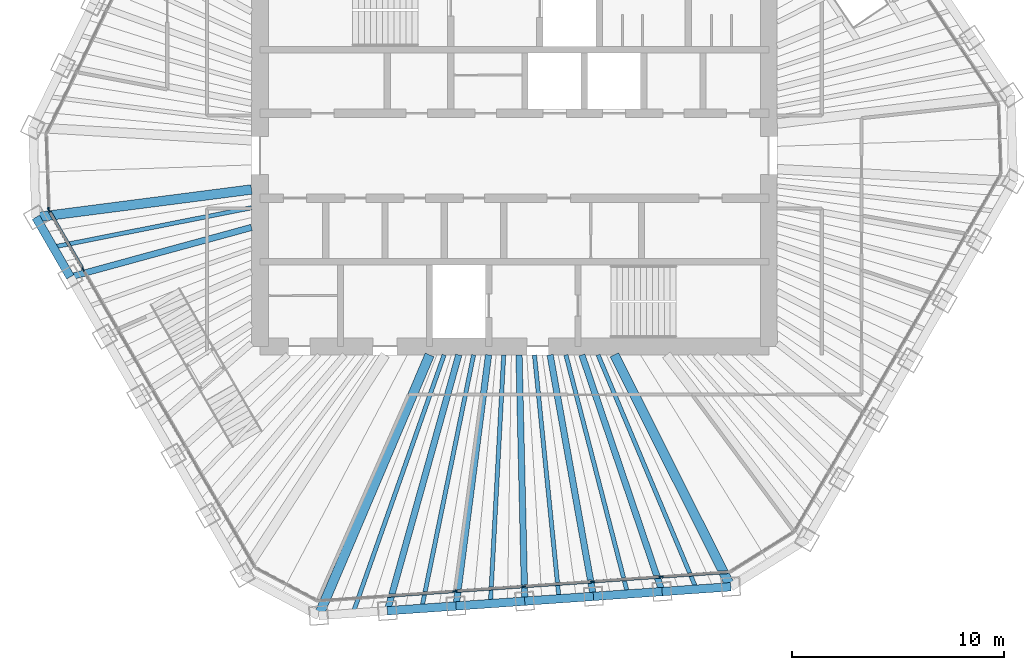
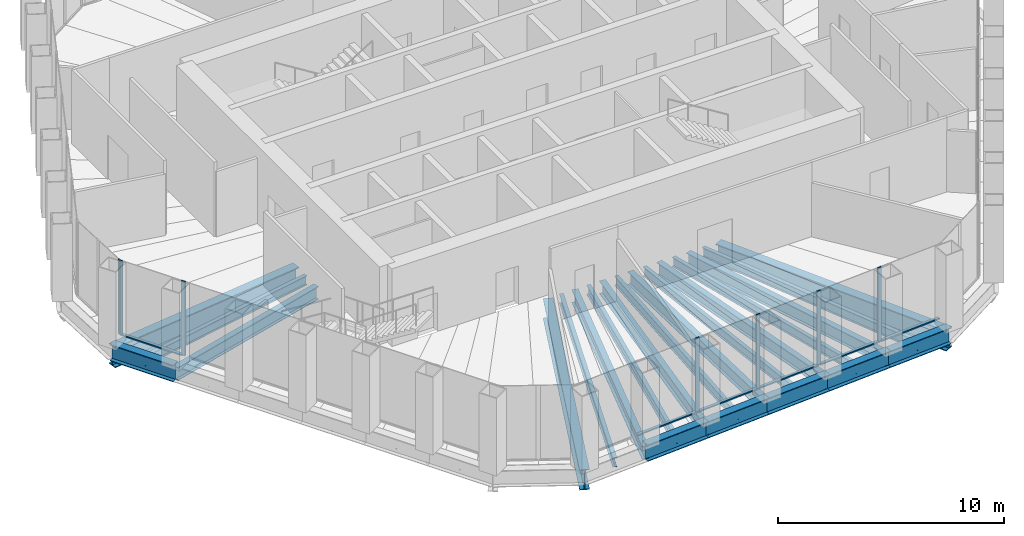
# One storey, part 5 of 17: 22 beams, 13 members, 3 elements without a shape of their own.
"""IFC4 building model written with IfcOpenShell, lengths in metres."""

from ifc_helpers import new_model, si_unit, direction, frame, origin, origin_2d, place, context, subcontext, project, spatial, rectangle, i_section, extrude, material, material_profile, profile_set, type_object, element, aggregate, save


model = new_model("IFC4")

# Units and contexts
model_context = context("Model", 3, precision=1e-05, world=origin(), true_north=direction((0.0, 1.0)))
body_context = subcontext(model_context, "Body", "Model", "MODEL_VIEW")
ifc_project = project(units=[si_unit("LENGTHUNIT", "METRE"), si_unit("AREAUNIT", "SQUARE_METRE"), si_unit("VOLUMEUNIT", "CUBIC_METRE"), si_unit("PLANEANGLEUNIT", "RADIAN"), si_unit("MASSUNIT", "GRAM", prefix="KILO")], contexts=[model_context])

# Site, building, storey
site_placement = place(None, origin())
site = spatial("IfcSite", under=ifc_project, at=site_placement, CompositionType="ELEMENT")
building_placement = place(site_placement, origin())
building = spatial("IfcBuilding", under=site, at=building_placement, Name="Qingtian Harvest Tower", CompositionType="ELEMENT")
storey_placement = place(building_placement, frame((0.0, 0.0, 329.199951171875)))
storey = spatial("IfcBuildingStorey", under=building, at=storey_placement, Name="L73", CompositionType="ELEMENT", Elevation=329.199951171875)

# Beams
ifc_material_1 = material(Name="Steel SM570MC", Category="steel")
ifc_material_profile_1 = material_profile(ifc_material_1, i_section(OverallWidth=0.449951171875, OverallDepth=1.10009765625, WebThickness=0.02197265625, FlangeThickness=0.044921875, at=origin_2d()), Name="H1100x450x22x45")
ifc_profile_set_1 = profile_set([ifc_material_profile_1], Name="Steel SM570MC")
beam_type_1 = type_object("IfcBeamType", Name="Corner floor beam FB8 H1100x450x22x45", PredefinedType="BEAM", material=ifc_profile_set_1)
beam_1_placement = place(storey_placement, frame((10.20947265625, -20.33740234375, -0.719970703125), z_axis=(-0.448649335107, 0.893707879627, 0.0), x_axis=(-0.893707879627, -0.448649335107, 0.0)))
element("IfcBeam", 1, at=beam_1_placement, inside=storey, type_object=beam_type_1, Name="Floor beam FB8 S0", PredefinedType="BEAM", context=body_context, shape_type="SweptSolid", body=[
    extrude(i_section(OverallWidth=0.449951171875, OverallDepth=1.10009765625, WebThickness=0.02197265625, FlangeThickness=0.044921875, at=origin_2d()), origin(), (0.0, 0.0, 1.0), 12.23828125),
])
beam_2_placement = place(storey_placement, frame((-9.231201171875, -21.69677734375, -0.719970703125), z_axis=(0.391505797179, 0.920175641264, 0.0), x_axis=(-0.920175641264, 0.391505797179, 0.0)))
element("IfcBeam", 2, at=beam_2_placement, inside=storey, type_object=beam_type_1, Name="Floor beam FB8 S6", PredefinedType="BEAM", context=body_context, shape_type="SweptSolid", body=[
    extrude(i_section(OverallWidth=0.449951171875, OverallDepth=1.10009765625, WebThickness=0.02197265625, FlangeThickness=0.044921875, at=origin_2d()), origin(), (0.0, 0.0, 1.0), 13.363525390625),
])
beam_3_placement = place(storey_placement, frame((-22.569580078125, -2.908447265625, -0.719970703125), z_axis=(0.991798519758, 0.127811174026, 0.0), x_axis=(-0.127811174026, 0.991798519758, 0.0)))
element("IfcBeam", 3, at=beam_3_placement, inside=storey, type_object=beam_type_1, Name="Floor beam FB8 SW6", PredefinedType="BEAM", context=body_context, shape_type="SweptSolid", body=[
    extrude(i_section(OverallWidth=0.449951171875, OverallDepth=1.10009765625, WebThickness=0.02197265625, FlangeThickness=0.044921875, at=origin_2d()), origin(), (0.0, 0.0, 1.0), 10.253662109375),
])
ifc_material_2 = material(Name="Steel SN490B", Category="steel")
ifc_material_profile_2 = material_profile(ifc_material_2, i_section(OverallWidth=0.300048828125, OverallDepth=0.699951171875, WebThickness=0.012939453125, FlangeThickness=0.02392578125, at=origin_2d()), Name="H700x300x13x24")
ifc_profile_set_2 = profile_set([ifc_material_profile_2], Name="Steel SN490B")
beam_type_2 = type_object("IfcBeamType", Name="Floor beam FB4 H700x300x13x24", PredefinedType="BEAM", material=ifc_profile_set_2)
beam_4_placement = place(storey_placement, frame((6.96923828125, -20.56396484375, -0.52001953125), z_axis=(-0.320964658262, 0.947091172035, 0.0), x_axis=(-0.947091172035, -0.320964658262, 0.0)))
element("IfcBeam", 4, at=beam_4_placement, inside=storey, type_object=beam_type_2, Name="Floor beam FB4 S1", PredefinedType="BEAM", context=body_context, shape_type="SweptSolid", body=[
    extrude(i_section(OverallWidth=0.300048828125, OverallDepth=0.699951171875, WebThickness=0.012939453125, FlangeThickness=0.02392578125, at=origin_2d()), origin(), (0.0, 0.0, 1.0), 11.787841796875),
])
beam_5_placement = place(storey_placement, frame((3.729248046875, -20.79052734375, -0.52001953125), z_axis=(-0.176558725829, 0.984290107811, 0.0), x_axis=(-0.984290107811, -0.176558725829, 0.0)))
element("IfcBeam", 5, at=beam_5_placement, inside=storey, type_object=beam_type_2, Name="Floor beam FB4 S2", PredefinedType="BEAM", context=body_context, shape_type="SweptSolid", body=[
    extrude(i_section(OverallWidth=0.300048828125, OverallDepth=0.699951171875, WebThickness=0.012939453125, FlangeThickness=0.02392578125, at=origin_2d()), origin(), (0.0, 0.0, 1.0), 11.572509765625),
])
beam_6_placement = place(storey_placement, frame((0.489013671875, -21.01708984375, -0.52001953125), z_axis=(-0.023257829451, 0.9997295001, 0.0), x_axis=(-0.9997295001, -0.023257829451, 0.0)))
element("IfcBeam", 6, at=beam_6_placement, inside=storey, type_object=beam_type_2, Name="Floor beam FB4 S3", PredefinedType="BEAM", context=body_context, shape_type="SweptSolid", body=[
    extrude(i_section(OverallWidth=0.300048828125, OverallDepth=0.699951171875, WebThickness=0.012939453125, FlangeThickness=0.02392578125, at=origin_2d()), origin(), (0.0, 0.0, 1.0), 11.620361328125),
])
beam_7_placement = place(storey_placement, frame((-2.7509765625, -21.24365234375, -0.52001953125), z_axis=(0.128421483878, 0.991719679385, 0.0), x_axis=(-0.991719679385, 0.128421483878, 0.0)))
element("IfcBeam", 7, at=beam_7_placement, inside=storey, type_object=beam_type_2, Name="Floor beam FB4 S4", PredefinedType="BEAM", context=body_context, shape_type="SweptSolid", body=[
    extrude(i_section(OverallWidth=0.300048828125, OverallDepth=0.699951171875, WebThickness=0.012939453125, FlangeThickness=0.02392578125, at=origin_2d()), origin(), (0.0, 0.0, 1.0), 11.942626953125),
])
beam_8_placement = place(storey_placement, frame((-5.9912109375, -21.47021484375, -0.52001953125), z_axis=(0.268777110088, 0.963202400896, 0.0), x_axis=(-0.963202400896, 0.268777110088, 0.0)))
element("IfcBeam", 8, at=beam_8_placement, inside=storey, type_object=beam_type_2, Name="Floor beam FB4 S5", PredefinedType="BEAM", context=body_context, shape_type="SweptSolid", body=[
    extrude(i_section(OverallWidth=0.300048828125, OverallDepth=0.699951171875, WebThickness=0.012939453125, FlangeThickness=0.02392578125, at=origin_2d()), origin(), (0.0, 0.0, 1.0), 12.531494140625),
])
beam_9_placement = place(storey_placement, frame((-20.945556640625, -5.721435546875, -0.52001953125), z_axis=(0.96466071762, 0.26349516102, 0.0), x_axis=(-0.26349516102, 0.96466071762, 0.0)))
element("IfcBeam", 9, at=beam_9_placement, inside=storey, type_object=beam_type_2, Name="Floor beam FB4 SW5", PredefinedType="BEAM", context=body_context, shape_type="SweptSolid", body=[
    extrude(i_section(OverallWidth=0.300048828125, OverallDepth=0.699951171875, WebThickness=0.012939453125, FlangeThickness=0.02392578125, at=origin_2d()), origin(), (0.0, 0.0, 1.0), 8.858642578125),
])
ifc_material_3 = material(Name="Steel SN490B", Category="steel")
ifc_material_profile_3 = material_profile(ifc_material_3, i_section(OverallWidth=0.199951171875, OverallDepth=0.5, WebThickness=0.010009765625, FlangeThickness=0.01611328125, at=origin_2d()), Name="H500x200x10x16")
ifc_profile_set_3 = profile_set([ifc_material_profile_3], Name="Steel SN490B")
beam_type_3 = type_object("IfcBeamType", Name="Floor joist J3 H500x200x10x16", PredefinedType="JOIST", material=ifc_profile_set_3)
beam_10_placement = place(storey_placement, frame((8.58935546875, -20.45068359375, -0.419921875), z_axis=(-0.387234562114, 0.921981232946, 0.0), x_axis=(-0.921981232946, -0.387234562114, 0.0)))
element("IfcBeam", 10, at=beam_10_placement, inside=storey, type_object=beam_type_3, Name="Floor joist J3 S0", PredefinedType="JOIST", context=body_context, shape_type="SweptSolid", body=[
    extrude(i_section(OverallWidth=0.199951171875, OverallDepth=0.5, WebThickness=0.010009765625, FlangeThickness=0.01611328125, at=origin_2d()), origin(), (0.0, 0.0, 1.0), 11.98583984375),
])
beam_11_placement = place(storey_placement, frame((5.349365234375, -20.67724609375, -0.419921875), z_axis=(-0.250457336117, 0.968127637652, 0.0), x_axis=(-0.968127637652, -0.250457336117, 0.0)))
element("IfcBeam", 11, at=beam_11_placement, inside=storey, type_object=beam_type_3, Name="Floor joist J3 S1", PredefinedType="JOIST", context=body_context, shape_type="SweptSolid", body=[
    extrude(i_section(OverallWidth=0.199951171875, OverallDepth=0.5, WebThickness=0.010009765625, FlangeThickness=0.01611328125, at=origin_2d()), origin(), (0.0, 0.0, 1.0), 11.648681640625),
])
beam_12_placement = place(storey_placement, frame((2.109130859375, -20.90380859375, -0.419921875), z_axis=(-0.100381738783, 0.994948996943, 0.0), x_axis=(-0.994948996943, -0.100381738783, 0.0)))
element("IfcBeam", 12, at=beam_12_placement, inside=storey, type_object=beam_type_3, Name="Floor joist J3 S2", PredefinedType="JOIST", context=body_context, shape_type="SweptSolid", body=[
    extrude(i_section(OverallWidth=0.199951171875, OverallDepth=0.5, WebThickness=0.010009765625, FlangeThickness=0.01611328125, at=origin_2d()), origin(), (0.0, 0.0, 1.0), 11.562255859375),
])
beam_13_placement = place(storey_placement, frame((-1.130859375, -21.13037109375, -0.419921875), z_axis=(0.053432551321, 0.998571460868, 0.0), x_axis=(-0.998571460868, 0.053432551321, 0.0)))
element("IfcBeam", 13, at=beam_13_placement, inside=storey, type_object=beam_type_3, Name="Floor joist J3 S3", PredefinedType="JOIST", context=body_context, shape_type="SweptSolid", body=[
    extrude(i_section(OverallWidth=0.199951171875, OverallDepth=0.5, WebThickness=0.010009765625, FlangeThickness=0.01611328125, at=origin_2d()), origin(), (0.0, 0.0, 1.0), 11.747314453125),
])
beam_14_placement = place(storey_placement, frame((-4.37109375, -21.35693359375, -0.419921875), z_axis=(0.200514926646, 0.97969064719, 0.0), x_axis=(-0.97969064719, 0.200514926646, 0.0)))
element("IfcBeam", 14, at=beam_14_placement, inside=storey, type_object=beam_type_3, Name="Floor joist J3 S4", PredefinedType="JOIST", context=body_context, shape_type="SweptSolid", body=[
    extrude(i_section(OverallWidth=0.199951171875, OverallDepth=0.5, WebThickness=0.010009765625, FlangeThickness=0.01611328125, at=origin_2d()), origin(), (0.0, 0.0, 1.0), 12.204833984375),
])
beam_15_placement = place(storey_placement, frame((-7.611083984375, -21.58349609375, -0.419921875), z_axis=(0.332565071267, 0.9430803112, 0.0), x_axis=(-0.9430803112, 0.332565071267, 0.0)))
element("IfcBeam", 15, at=beam_15_placement, inside=storey, type_object=beam_type_3, Name="Floor joist J3 S5", PredefinedType="JOIST", context=body_context, shape_type="SweptSolid", body=[
    extrude(i_section(OverallWidth=0.199951171875, OverallDepth=0.5, WebThickness=0.010009765625, FlangeThickness=0.01611328125, at=origin_2d()), origin(), (0.0, 0.0, 1.0), 12.9189453125),
])
beam_16_placement = place(storey_placement, frame((-21.757568359375, -4.31494140625, -0.419921875), z_axis=(0.980898289228, 0.194521325796, 0.0), x_axis=(-0.194521325796, 0.980898289228, 0.0)))
element("IfcBeam", 16, at=beam_16_placement, inside=storey, type_object=beam_type_3, Name="Floor joist J3 SW5", PredefinedType="JOIST", context=body_context, shape_type="SweptSolid", body=[
    extrude(i_section(OverallWidth=0.199951171875, OverallDepth=0.5, WebThickness=0.010009765625, FlangeThickness=0.01611328125, at=origin_2d()), origin(), (0.0, 0.0, 1.0), 9.539794921875),
])

# Curtain wall, members
ifc_material_4 = material(Name="Bronze-anodised aluminium curtain wall", Category="aluminium")
curtain_wall_type = type_object("IfcCurtainWallType", Name="Curtain wall CW6 executive floors", PredefinedType="USERDEFINED", material=ifc_material_4)
curtain_wall_1_placement = place(storey_placement, origin())
curtain_wall_1 = element("IfcCurtainWall", 17, at=curtain_wall_1_placement, inside=storey, type_object=curtain_wall_type, Name="Curtain wall CW6 L73 S0-5", ObjectType="RECESSED CURTAIN WALL", PredefinedType="USERDEFINED")
ifc_material_5 = material(Name="Bronze-anodised aluminium mullion", Category="aluminium")
ifc_material_profile_4 = material_profile(ifc_material_5, rectangle(XDim=0.06494140625, YDim=0.199951171875, at=origin_2d()), Name="AL 65x200")
ifc_profile_set_4 = profile_set([ifc_material_profile_4], Name="Bronze-anodised aluminium mullion")
member_type_1 = type_object("IfcMemberType", Name="Mullion CWM 65x200", PredefinedType="MULLION", material=ifc_profile_set_4)
member_1_placement = place(storey_placement, frame((6.92041015625, -19.86572265625, 0.0), z_axis=(0.0, 0.0, 1.0), x_axis=(0.069756473744, -0.99756405026, 0.0)))
member_1 = element("IfcMember", 18, at=member_1_placement, type_object=member_type_1, Name="CW6 mullion 2", PredefinedType="MULLION", context=body_context, shape_type="SweptSolid", body=[
    extrude(rectangle(XDim=0.06494140625, YDim=0.199951171875, at=origin_2d()), origin(), (0.0, 0.0, 1.0), 4.030029296875),
])
member_2_placement = place(storey_placement, frame((3.680419921875, -20.09228515625, 0.0), z_axis=(0.0, 0.0, 1.0), x_axis=(0.069756473744, -0.99756405026, 0.0)))
member_2 = element("IfcMember", 19, at=member_2_placement, type_object=member_type_1, Name="CW6 mullion 3", PredefinedType="MULLION", context=body_context, shape_type="SweptSolid", body=[
    extrude(rectangle(XDim=0.06494140625, YDim=0.199951171875, at=origin_2d()), origin(), (0.0, 0.0, 1.0), 4.030029296875),
])
member_3_placement = place(storey_placement, frame((0.440185546875, -20.31884765625, 0.0), z_axis=(0.0, 0.0, 1.0), x_axis=(0.069756473744, -0.99756405026, 0.0)))
member_3 = element("IfcMember", 20, at=member_3_placement, type_object=member_type_1, Name="CW6 mullion 4", PredefinedType="MULLION", context=body_context, shape_type="SweptSolid", body=[
    extrude(rectangle(XDim=0.06494140625, YDim=0.199951171875, at=origin_2d()), origin(), (0.0, 0.0, 1.0), 4.030029296875),
])
member_4_placement = place(storey_placement, frame((-2.7998046875, -20.54541015625, 0.0), z_axis=(0.0, 0.0, 1.0), x_axis=(0.069756473744, -0.99756405026, 0.0)))
member_4 = element("IfcMember", 21, at=member_4_placement, type_object=member_type_1, Name="CW6 mullion 5", PredefinedType="MULLION", context=body_context, shape_type="SweptSolid", body=[
    extrude(rectangle(XDim=0.06494140625, YDim=0.199951171875, at=origin_2d()), origin(), (0.0, 0.0, 1.0), 4.030029296875),
])

curtain_wall_2_placement = place(storey_placement, origin())
curtain_wall_2 = element("IfcCurtainWall", 22, at=curtain_wall_2_placement, inside=storey, type_object=curtain_wall_type, Name="Curtain wall CW6 L73 SW0-5", ObjectType="RECESSED CURTAIN WALL", PredefinedType="USERDEFINED")
member_5_placement = place(storey_placement, frame((-20.33935546875, -5.371337890625, 0.0), z_axis=(0.0, 0.0, 1.0), x_axis=(-0.866025403784, -0.5, 0.0)))
member_5 = element("IfcMember", 23, at=member_5_placement, type_object=member_type_1, Name="CW6 mullion 6", PredefinedType="MULLION", context=body_context, shape_type="SweptSolid", body=[
    extrude(rectangle(XDim=0.06494140625, YDim=0.199951171875, at=origin_2d()), origin(), (0.0, 0.0, 1.0), 4.030029296875),
])
member_6_placement = place(storey_placement, frame((-21.947021484375, -2.586669921875, 0.0), z_axis=(0.0, 0.0, 1.0), x_axis=(-0.866025403784, -0.5, 0.0)))
member_6 = element("IfcMember", 24, at=member_6_placement, type_object=member_type_1, Name="CW6 mullion 7", PredefinedType="MULLION", context=body_context, shape_type="SweptSolid", body=[
    extrude(rectangle(XDim=0.06494140625, YDim=0.199951171875, at=origin_2d()), origin(), (0.0, 0.0, 1.0), 4.030029296875),
])

# Curtain wall, member
curtain_wall_3_placement = place(storey_placement, origin())
curtain_wall_3 = element("IfcCurtainWall", 25, at=curtain_wall_3_placement, inside=storey, type_object=curtain_wall_type, Name="Curtain wall CW6 L73 SWC", ObjectType="RECESSED CURTAIN WALL", PredefinedType="USERDEFINED")
member_7_placement = place(storey_placement, frame((-21.96435546875, -2.526123046875, 0.0), z_axis=(0.0, 0.0, 1.0), x_axis=(-0.999390827019, -0.034899496703, 0.0)))
member_7 = element("IfcMember", 26, at=member_7_placement, type_object=member_type_1, Name="CW6 mullion 1", PredefinedType="MULLION", context=body_context, shape_type="SweptSolid", body=[
    extrude(rectangle(XDim=0.06494140625, YDim=0.199951171875, at=origin_2d()), origin(), (0.0, 0.0, 1.0), 4.030029296875),
])
aggregate(curtain_wall_3, [member_7])

# Beams
ifc_material_6 = material(Name="Steel SN490B", Category="steel")
ifc_material_profile_5 = material_profile(ifc_material_6, i_section(OverallWidth=0.39990234375, OverallDepth=0.89990234375, WebThickness=0.01904296875, FlangeThickness=0.035888671875, at=origin_2d()), Name="H900x400x19x36")
ifc_profile_set_5 = profile_set([ifc_material_profile_5], Name="Steel SN490B")
beam_type_4 = type_object("IfcBeamType", Name="Spandrel beam SB4 H900x400x19x36", PredefinedType="SPANDREL", material=ifc_profile_set_5)
beam_17_placement = place(storey_placement, frame((10.20947265625, -20.33740234375, -0.449951171875), z_axis=(-0.9975644093, -0.069751339047, 0.0), x_axis=(0.069751339047, -0.9975644093, 0.0)))
element("IfcBeam", 27, at=beam_17_placement, inside=storey, type_object=beam_type_4, Name="Spandrel SB4 S0", PredefinedType="SPANDREL", context=body_context, shape_type="SweptSolid", body=[
    extrude(i_section(OverallWidth=0.39990234375, OverallDepth=0.89990234375, WebThickness=0.01904296875, FlangeThickness=0.035888671875, at=origin_2d()), origin(), (0.0, 0.0, 1.0), 3.248046875),
])
beam_18_placement = place(storey_placement, frame((6.96923828125, -20.56396484375, -0.449951171875), z_axis=(-0.997564043571, -0.069756569394, 0.0), x_axis=(0.069756569394, -0.997564043571, 0.0)))
element("IfcBeam", 28, at=beam_18_placement, inside=storey, type_object=beam_type_4, Name="Spandrel SB4 S1", PredefinedType="SPANDREL", context=body_context, shape_type="SweptSolid", body=[
    extrude(i_section(OverallWidth=0.39990234375, OverallDepth=0.89990234375, WebThickness=0.01904296875, FlangeThickness=0.035888671875, at=origin_2d()), origin(), (0.0, 0.0, 1.0), 3.247802734375),
])
beam_19_placement = place(storey_placement, frame((3.729248046875, -20.79052734375, -0.449951171875), z_axis=(-0.9975644093, -0.069751339047, 0.0), x_axis=(0.069751339047, -0.9975644093, 0.0)))
element("IfcBeam", 29, at=beam_19_placement, inside=storey, type_object=beam_type_4, Name="Spandrel SB4 S2", PredefinedType="SPANDREL", context=body_context, shape_type="SweptSolid", body=[
    extrude(i_section(OverallWidth=0.39990234375, OverallDepth=0.89990234375, WebThickness=0.01904296875, FlangeThickness=0.035888671875, at=origin_2d()), origin(), (0.0, 0.0, 1.0), 3.248046875),
])
beam_20_placement = place(storey_placement, frame((0.489013671875, -21.01708984375, -0.449951171875), z_axis=(-0.997564043571, -0.069756569394, 0.0), x_axis=(0.069756569394, -0.997564043571, 0.0)))
element("IfcBeam", 30, at=beam_20_placement, inside=storey, type_object=beam_type_4, Name="Spandrel SB4 S3", PredefinedType="SPANDREL", context=body_context, shape_type="SweptSolid", body=[
    extrude(i_section(OverallWidth=0.39990234375, OverallDepth=0.89990234375, WebThickness=0.01904296875, FlangeThickness=0.035888671875, at=origin_2d()), origin(), (0.0, 0.0, 1.0), 3.247802734375),
])
for number, where, z_axis, x_axis, name in (
    (31, (-2.7509765625, -21.24365234375, -0.449951171875), (-0.9975644093, -0.069751339047, 0.0), (0.069751339047, -0.9975644093, 0.0), "Spandrel SB4 S4"),
    (32, (-20.945556640625, -5.721435546875, -0.449951171875), (-0.499987045439, 0.866032882975, 0.0), (-0.866032882975, -0.499987045439, 0.0), "Spandrel SB4 SW5"),
):
    element("IfcBeam", number, at=place(storey_placement, frame(where, z_axis=z_axis, x_axis=x_axis)), inside=storey, type_object=beam_type_4, Name=name, PredefinedType="SPANDREL", context=body_context, shape_type="SweptSolid", body=[
        extrude(i_section(OverallWidth=0.39990234375, OverallDepth=0.89990234375, WebThickness=0.01904296875, FlangeThickness=0.035888671875, at=origin_2d()), origin(), (0.0, 0.0, 1.0), 3.248046875),
    ])

# Member
ifc_material_7 = material(Name="Bronze-anodised aluminium transom", Category="aluminium")
ifc_material_profile_6 = material_profile(ifc_material_7, rectangle(XDim=0.14990234375, YDim=0.06494140625, at=origin_2d()), Name="AL 65x150")
ifc_profile_set_6 = profile_set([ifc_material_profile_6], Name="Bronze-anodised aluminium transom")
member_type_2 = type_object("IfcMemberType", Name="Transom CWT 65x150", PredefinedType="USERDEFINED", material=ifc_profile_set_6)
member_8_placement = place(storey_placement, frame((10.095703125, -19.6435546875, 0.032470703125), z_axis=(-0.997564955301, -0.069743529851, 0.0), x_axis=(0.069743529851, -0.997564955301, 0.0)))
member_8 = element("IfcMember", 33, at=member_8_placement, type_object=member_type_2, Name="CW6 transom 1.1", ObjectType="TRANSOM", PredefinedType="USERDEFINED", context=body_context, shape_type="SweptSolid", body=[
    extrude(rectangle(XDim=0.14990234375, YDim=0.06494140625, at=origin_2d()), origin(), (0.0, 0.0, 1.0), 3.150390625),
])

member_9_placement = place(storey_placement, frame((6.88818359375, -19.867919921875, 0.032470703125), z_axis=(-0.997566548107, -0.069720743674, 0.0), x_axis=(0.069720743674, -0.997566548107, 0.0)))
member_9 = element("IfcMember", 34, at=member_9_placement, type_object=member_type_2, Name="CW6 transom 2.1", ObjectType="TRANSOM", PredefinedType="USERDEFINED", context=body_context, shape_type="SweptSolid", body=[
    extrude(rectangle(XDim=0.14990234375, YDim=0.06494140625, at=origin_2d()), origin(), (0.0, 0.0, 1.0), 3.18310546875),
])

member_10_placement = place(storey_placement, frame((3.64794921875, -20.094482421875, 0.032470703125), z_axis=(-0.997566548107, -0.069720743674, 0.0), x_axis=(0.069720743674, -0.997566548107, 0.0)))
member_10 = element("IfcMember", 35, at=member_10_placement, type_object=member_type_2, Name="CW6 transom 3.1", ObjectType="TRANSOM", PredefinedType="USERDEFINED", context=body_context, shape_type="SweptSolid", body=[
    extrude(rectangle(XDim=0.14990234375, YDim=0.06494140625, at=origin_2d()), origin(), (0.0, 0.0, 1.0), 3.18310546875),
])

member_11_placement = place(storey_placement, frame((0.407958984375, -20.321044921875, 0.032470703125), z_axis=(-0.997566548107, -0.069720743674, 0.0), x_axis=(0.069720743674, -0.997566548107, 0.0)))
member_11 = element("IfcMember", 36, at=member_11_placement, type_object=member_type_2, Name="CW6 transom 4.1", ObjectType="TRANSOM", PredefinedType="USERDEFINED", context=body_context, shape_type="SweptSolid", body=[
    extrude(rectangle(XDim=0.14990234375, YDim=0.06494140625, at=origin_2d()), origin(), (0.0, 0.0, 1.0), 3.18310546875),
])

member_12_placement = place(storey_placement, frame((-2.832275390625, -20.547607421875, 0.032470703125), z_axis=(-0.997561210613, -0.06979707071, 0.0), x_axis=(0.06979707071, -0.997561210613, 0.0)))
member_12 = element("IfcMember", 37, at=member_12_placement, type_object=member_type_2, Name="CW6 transom 5.1", ObjectType="TRANSOM", PredefinedType="USERDEFINED", context=body_context, shape_type="SweptSolid", body=[
    extrude(rectangle(XDim=0.14990234375, YDim=0.06494140625, at=origin_2d()), origin(), (0.0, 0.0, 1.0), 3.18310546875),
])

aggregate(curtain_wall_1, [member_1, member_2, member_3, member_4, member_8, member_9, member_10, member_11, member_12])

member_13_placement = place(storey_placement, frame((-20.35546875, -5.34326171875, 0.032470703125), z_axis=(-0.499972881236, 0.866041060244, 0.0), x_axis=(-0.866041060244, -0.499972881236, 0.0)))
member_13 = element("IfcMember", 38, at=member_13_placement, type_object=member_type_2, Name="CW6 transom 6.1", ObjectType="TRANSOM", PredefinedType="USERDEFINED", context=body_context, shape_type="SweptSolid", body=[
    extrude(rectangle(XDim=0.14990234375, YDim=0.06494140625, at=origin_2d()), origin(), (0.0, 0.0, 1.0), 3.150634765625),
])

aggregate(curtain_wall_2, [member_5, member_6, member_13])

save(model, "model.ifc")
